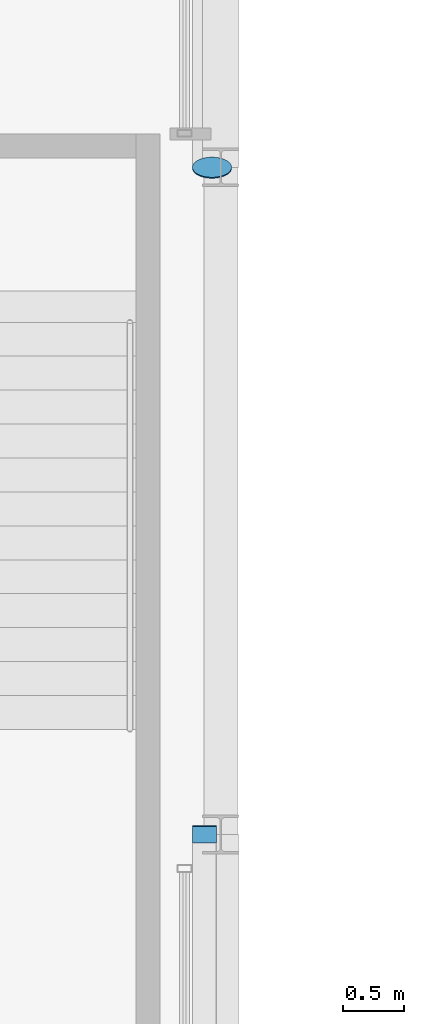
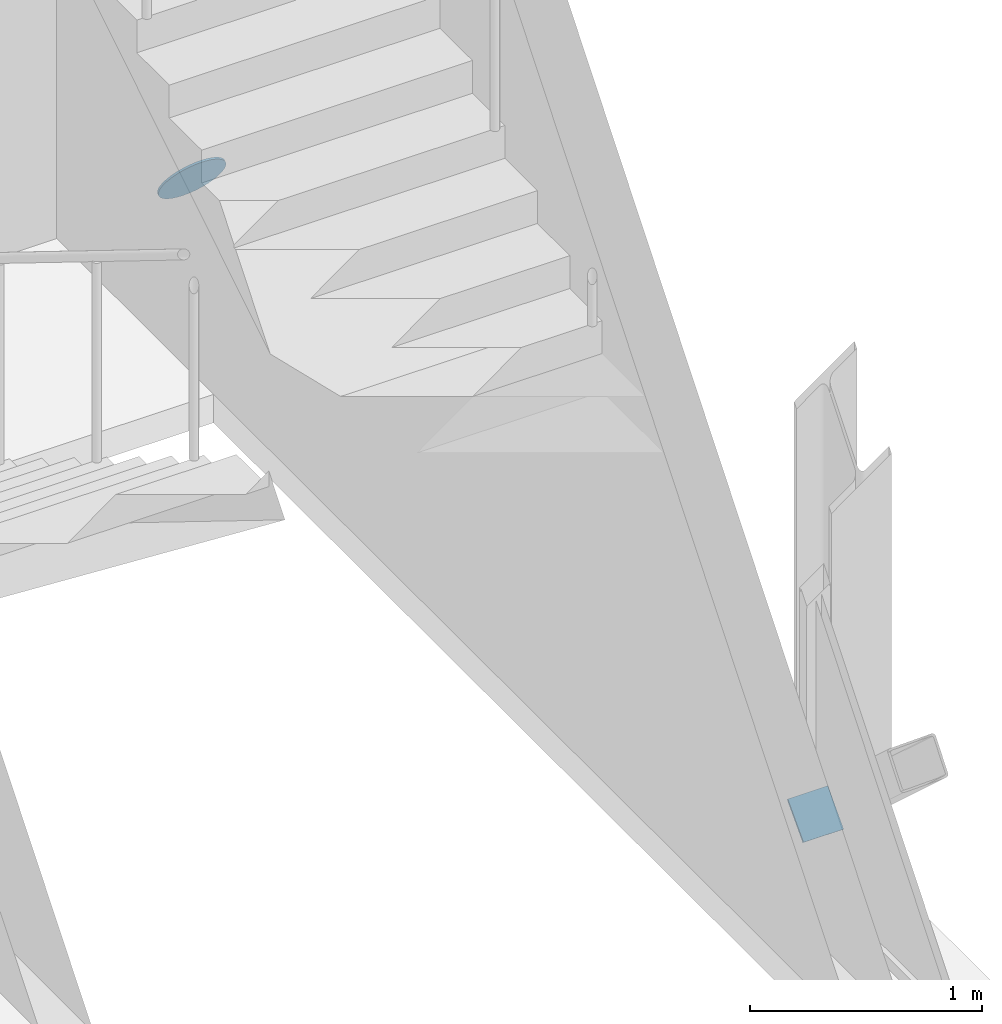
# One storey, part 87 of 111: 2 discrete accessories.
"""IFC4 building model written with IfcOpenShell, lengths in metres."""

from ifc_helpers import new_model, si_unit, direction, frame, origin, origin_2d, place, context, subcontext, project, spatial, rectangle, circle, extrude, material, material_profile, profile_set, type_object, element, save


model = new_model("IFC4")

# Units and contexts
model_context = context("Model", 3, precision=1e-05, world=origin(), true_north=direction((0.0, 1.0)))
body_context = subcontext(model_context, "Body", "Model", "MODEL_VIEW")
ifc_project = project(units=[si_unit("LENGTHUNIT", "METRE"), si_unit("AREAUNIT", "SQUARE_METRE"), si_unit("VOLUMEUNIT", "CUBIC_METRE"), si_unit("PLANEANGLEUNIT", "RADIAN"), si_unit("MASSUNIT", "GRAM", prefix="KILO")], contexts=[model_context])

# Site, building, storey
site_placement = place(None, origin())
site = spatial("IfcSite", under=ifc_project, at=site_placement, CompositionType="ELEMENT")
building_placement = place(site_placement, origin())
building = spatial("IfcBuilding", under=site, at=building_placement, Name="Kallimachos Central Library", CompositionType="ELEMENT")
storey_placement = place(building_placement, frame((0.0, 0.0, 14.39990234375)))
storey = spatial("IfcBuildingStorey", under=building, at=storey_placement, Name="L03", CompositionType="ELEMENT", Elevation=14.39990234375)

# Discrete accessories
ifc_material_1 = material(Name="Steel S355J2", Category="steel")
ifc_material_profile_1 = material_profile(ifc_material_1, rectangle(XDim=0.199951171875, YDim=0.199951171875, at=origin_2d()), Name="End cap plate 10, 200x200")
ifc_profile_set_1 = profile_set([ifc_material_profile_1], Name="Steel S355J2")
discrete_accessory_type_1 = type_object("IfcDiscreteAccessoryType", Name="End cap plate 10, 200x200", PredefinedType="BRACKET", material=ifc_profile_set_1)
discrete_accessory_1_placement = place(storey_placement, frame((110.364990234375, 105.00732421875, 0.143310546875), z_axis=(0.0, -0.731055268243, 0.68231825036), x_axis=(1.0, 0.0, 0.0)))
element("IfcDiscreteAccessory", 1, at=discrete_accessory_1_placement, inside=storey, type_object=discrete_accessory_type_1, Name="End cap plate", PredefinedType="BRACKET", context=body_context, shape_type="SweptSolid", body=[
    extrude(rectangle(XDim=0.199951171875, YDim=0.199951171875, at=origin_2d()), origin(), (0.0, 0.0, 1.0), 0.010009765625),
])
ifc_material_2 = material(Name="Steel S355J2", Category="steel")
ifc_material_profile_2 = material_profile(ifc_material_2, circle(Radius=0.161865234375, at=origin_2d()), Name="End cap plate 10, round 323.9")
ifc_profile_set_2 = profile_set([ifc_material_profile_2], Name="Steel S355J2")
discrete_accessory_type_2 = type_object("IfcDiscreteAccessoryType", Name="End cap plate 10, round 323.9", PredefinedType="BRACKET", material=ifc_profile_set_2)
discrete_accessory_2_placement = place(storey_placement, frame((110.427001953125, 110.491455078125, 0.14501953125), z_axis=(0.0, 0.857492925713, 0.514495755428), x_axis=(-1.0, 0.0, 0.0)))
element("IfcDiscreteAccessory", 2, at=discrete_accessory_2_placement, inside=storey, type_object=discrete_accessory_type_2, Name="End cap plate", PredefinedType="BRACKET", context=body_context, shape_type="SweptSolid", body=[
    extrude(circle(Radius=0.161865234375, at=origin_2d()), origin(), (0.0, 0.0, 1.0), 0.010009765625),
])

save(model, "model.ifc")
